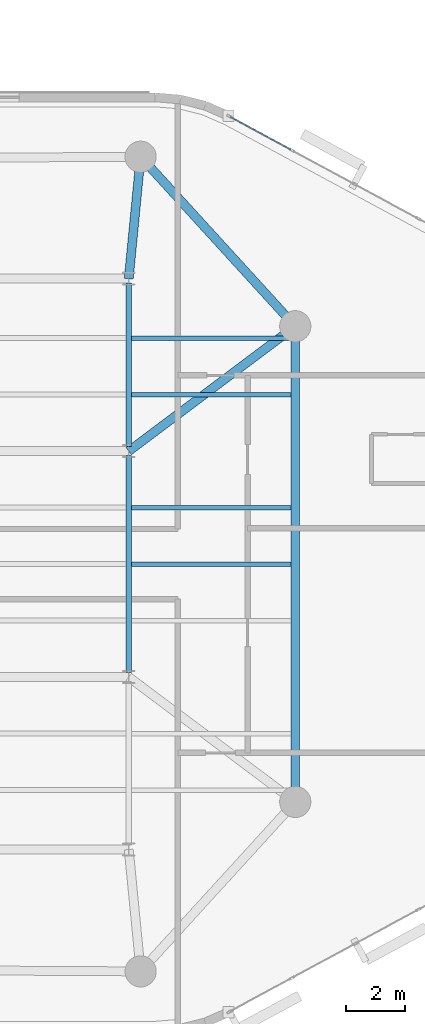
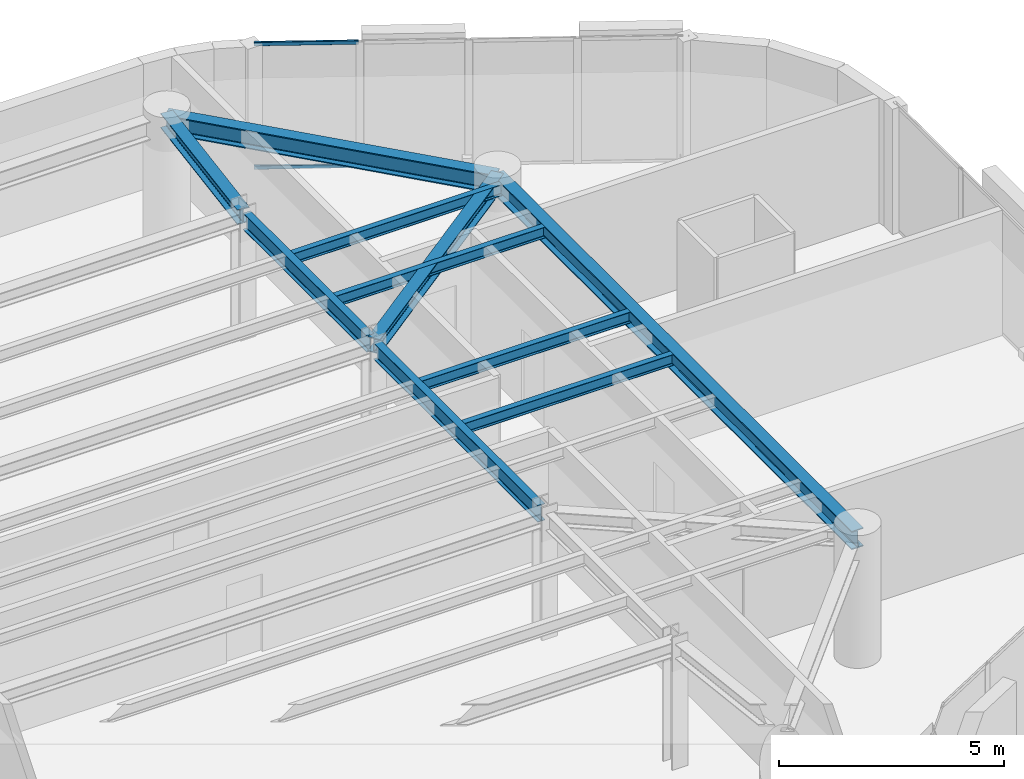
# One storey, part 5 of 13: 10 beams, 2 members, 1 element without a shape of its own.
"""IFC4 building model written with IfcOpenShell, lengths in metres."""

from ifc_helpers import new_model, si_unit, direction, frame, origin, origin_2d, place, context, subcontext, project, spatial, hollow_rectangle, i_section, extrude, material, layer, layer_set, material_profile, profile_set, type_object, element, aggregate, save


model = new_model("IFC4")

# Units and contexts
model_context = context("Model", 3, precision=1e-05, world=origin(), true_north=direction((0.0, 1.0)))
body_context = subcontext(model_context, "Body", "Model", "MODEL_VIEW")
ifc_project = project(units=[si_unit("LENGTHUNIT", "METRE"), si_unit("AREAUNIT", "SQUARE_METRE"), si_unit("VOLUMEUNIT", "CUBIC_METRE"), si_unit("PLANEANGLEUNIT", "RADIAN"), si_unit("MASSUNIT", "GRAM", prefix="KILO")], contexts=[model_context])

# Site, building, storey
site_placement = place(None, origin())
site = spatial("IfcSite", under=ifc_project, at=site_placement, CompositionType="ELEMENT")
building_placement = place(site_placement, origin())
building = spatial("IfcBuilding", under=site, at=building_placement, Name="An Khanh Terracotta Commons", CompositionType="ELEMENT")
storey_placement = place(building_placement, frame((0.0, 0.0, 226.5)))
storey = spatial("IfcBuildingStorey", under=building, at=storey_placement, Name="L59", CompositionType="ELEMENT", Elevation=226.5)

# Beams
ifc_material_1 = material(Name="Steel S355J2", Category="steel")
ifc_material_profile_1 = material_profile(ifc_material_1, i_section(OverallWidth=0.300048828125, OverallDepth=0.39990234375, WebThickness=0.013427734375, FlangeThickness=0.02392578125, FilletRadius=0.027099609375, at=origin_2d()), Name="HEB400")
ifc_profile_set_1 = profile_set([ifc_material_profile_1], Name="Steel S355J2")
beam_type_1 = type_object("IfcBeamType", Name="BM-HEB400", PredefinedType="BEAM", material=ifc_profile_set_1)
beam_1_placement = place(storey_placement, frame((59.60009765625, 32.0, 3.199951171875), z_axis=(-0.800008370399, -0.599988839305, 0.0), x_axis=(0.599988839305, -0.800008370399, 0.0)))
element("IfcBeam", 1, at=beam_1_placement, inside=storey, type_object=beam_type_1, Name="L59 Mega-Column Tie Girder 4", PredefinedType="BEAM", context=body_context, shape_type="SweptSolid", body=[
    extrude(i_section(OverallWidth=0.300048828125, OverallDepth=0.39990234375, WebThickness=0.013427734375, FlangeThickness=0.02392578125, FilletRadius=0.027099609375, at=origin_2d()), origin(), (0.0, 0.0, 1.0), 7.0),
])
beam_2_placement = place(storey_placement, frame((54.39990234375, 37.699951171875, 3.199951171875), z_axis=(-0.097079917443, -0.995276589511, 0.0), x_axis=(0.995276589511, -0.097079917443, 0.0)))
element("IfcBeam", 2, at=beam_2_placement, inside=storey, type_object=beam_type_1, Name="L59 Mega-Column Tie Girder 5", PredefinedType="BEAM", context=body_context, shape_type="SweptSolid", body=[
    extrude(i_section(OverallWidth=0.300048828125, OverallDepth=0.39990234375, WebThickness=0.013427734375, FlangeThickness=0.02392578125, FilletRadius=0.027099609375, at=origin_2d()), origin(), (0.0, 0.0, 1.0), 4.119384765625),
])
ifc_material_profile_2 = material_profile(ifc_material_1, i_section(OverallWidth=0.300048828125, OverallDepth=0.5, WebThickness=0.014404296875, FlangeThickness=0.028076171875, FilletRadius=0.027099609375, at=origin_2d()), Name="HEB500")
ifc_profile_set_2 = profile_set([ifc_material_profile_2], Name="Steel S355J2")
beam_type_2 = type_object("IfcBeamType", Name="BM-HEB500", PredefinedType="BEAM", material=ifc_profile_set_2)
beam_3_placement = place(storey_placement, frame((59.60009765625, 16.0, 3.14990234375), z_axis=(0.0, 1.0, 0.0), x_axis=(-1.0, 0.0, 0.0)))
element("IfcBeam", 3, at=beam_3_placement, inside=storey, type_object=beam_type_2, Name="L59 Perimeter Ring Spandrel 3", PredefinedType="BEAM", context=body_context, shape_type="SweptSolid", body=[
    extrude(i_section(OverallWidth=0.300048828125, OverallDepth=0.5, WebThickness=0.014404296875, FlangeThickness=0.028076171875, FilletRadius=0.027099609375, at=origin_2d()), origin(), (0.0, 0.0, 1.0), 16.0),
])
beam_4_placement = place(storey_placement, frame((59.60009765625, 32.0, 3.14990234375), z_axis=(-0.673978953902, 0.738750546326, 0.0), x_axis=(-0.738750546326, -0.673978953902, 0.0)))
element("IfcBeam", 4, at=beam_4_placement, inside=storey, type_object=beam_type_2, Name="L59 Perimeter Ring Spandrel 4", PredefinedType="BEAM", context=body_context, shape_type="SweptSolid", body=[
    extrude(i_section(OverallWidth=0.300048828125, OverallDepth=0.5, WebThickness=0.014404296875, FlangeThickness=0.028076171875, FilletRadius=0.027099609375, at=origin_2d()), origin(), (0.0, 0.0, 1.0), 7.715576171875),
])
ifc_material_profile_3 = material_profile(ifc_material_1, i_section(OverallWidth=0.14990234375, OverallDepth=0.300048828125, WebThickness=0.007080078125, FlangeThickness=0.0107421875, FilletRadius=0.014892578125, at=origin_2d()), Name="IPE300")
ifc_profile_set_3 = profile_set([ifc_material_profile_3], Name="Steel S355J2")
beam_type_3 = type_object("IfcBeamType", Name="BM-IPE300", PredefinedType="JOIST", material=ifc_profile_set_3)
for number, where, z_axis, x_axis, name in (
    (5, (54.094970703125, 24.0, 3.25), (1.0, 0.0, 0.0), (0.0, 1.0, 0.0), "L59 Riverfront Composite Joist 4"),
    (6, (54.094970703125, 25.89990234375, 3.25), (1.0, 0.0, 0.0), (0.0, 1.0, 0.0), "L59 Riverfront Composite Joist 5"),
    (7, (54.094970703125, 29.699951171875, 3.25), (1.0, 0.0, 0.0), (0.0, 1.0, 0.0), "L59 Riverfront Composite Joist 6"),
    (8, (54.094970703125, 31.60009765625, 3.25), (1.0, 0.0, 0.0), (0.0, 1.0, 0.0), "L59 Riverfront Composite Joist 7"),
):
    element("IfcBeam", number, at=place(storey_placement, frame(where, z_axis=z_axis, x_axis=x_axis)), inside=storey, type_object=beam_type_3, Name=name, PredefinedType="JOIST", context=body_context, shape_type="SweptSolid", body=[
        extrude(i_section(OverallWidth=0.14990234375, OverallDepth=0.300048828125, WebThickness=0.007080078125, FlangeThickness=0.0107421875, FilletRadius=0.014892578125, at=origin_2d()), origin(), (0.0, 0.0, 1.0), 5.35498046875),
    ])
ifc_material_profile_4 = material_profile(ifc_material_1, i_section(OverallWidth=0.18994140625, OverallDepth=0.449951171875, WebThickness=0.009521484375, FlangeThickness=0.0146484375, FilletRadius=0.02099609375, at=origin_2d()), Name="IPE450")
ifc_profile_set_4 = profile_set([ifc_material_profile_4], Name="Steel S355J2")
beam_type_4 = type_object("IfcBeamType", Name="BM-IPE450", PredefinedType="JOIST", material=ifc_profile_set_4)
beam_5_placement = place(storey_placement, frame((54.0, 20.35009765625, 3.175048828125), z_axis=(0.0, 1.0, 0.0), x_axis=(-1.0, 0.0, 0.0)))
element("IfcBeam", 9, at=beam_5_placement, inside=storey, type_object=beam_type_4, Name="L59 East Spine Girder 2", PredefinedType="JOIST", context=body_context, shape_type="SweptSolid", body=[
    extrude(i_section(OverallWidth=0.18994140625, OverallDepth=0.449951171875, WebThickness=0.009521484375, FlangeThickness=0.0146484375, FilletRadius=0.02099609375, at=origin_2d()), origin(), (0.0, 0.0, 1.0), 7.2998046875),
])
beam_6_placement = place(storey_placement, frame((54.0, 27.949951171875, 3.175048828125), z_axis=(0.0, 1.0, 0.0), x_axis=(-1.0, 0.0, 0.0)))
element("IfcBeam", 10, at=beam_6_placement, inside=storey, type_object=beam_type_4, Name="L59 East Spine Girder 3", PredefinedType="JOIST", context=body_context, shape_type="SweptSolid", body=[
    extrude(i_section(OverallWidth=0.18994140625, OverallDepth=0.449951171875, WebThickness=0.009521484375, FlangeThickness=0.0146484375, FilletRadius=0.02099609375, at=origin_2d()), origin(), (0.0, 0.0, 1.0), 5.5),
])

# Curtain wall, members
ifc_material_2 = material(Name="Anodised Aluminium 6063-T6", Category="aluminium")
ifc_layer = layer(ifc_material_2, 0.2099609375, Name="Anodised Aluminium 6063-T6")
ifc_layer_set = layer_set([ifc_layer], Name="Anodised Aluminium 6063-T6")
curtain_wall_type = type_object("IfcCurtainWallType", Name="CW-SYS-03", PredefinedType="USERDEFINED", material=ifc_layer_set)
curtain_wall_placement = place(storey_placement, origin())
curtain_wall = element("IfcCurtainWall", 11, at=curtain_wall_placement, inside=storey, type_object=curtain_wall_type, Name="L59 CW-03 Unitised Curtain Wall CW-L59-16", ObjectType="UNITISED CURTAIN WALL", PredefinedType="USERDEFINED")
ifc_material_profile_5 = material_profile(ifc_material_2, hollow_rectangle(XDim=0.050048828125, YDim=0.10009765625, WallThickness=0.003173828125, InnerFilletRadius=0.003173828125, OuterFilletRadius=0.00634765625, at=origin_2d()), Name="RHS100x50x3.2")
ifc_profile_set_5 = profile_set([ifc_material_profile_5], Name="Anodised Aluminium 6063-T6")
member_type = type_object("IfcMemberType", Name="CWT-RHS100x50x3.2", PredefinedType="USERDEFINED", material=ifc_profile_set_5)
member_1_placement = place(storey_placement, frame((59.455078125, 37.94140625, 0.02490234375), z_axis=(-0.879779245677, 0.475382455373, 0.0), x_axis=(-0.475382455373, -0.879779245677, 0.0)))
member_1 = element("IfcMember", 12, at=member_1_placement, type_object=member_type, Name="CW-03 transom 4.1", ObjectType="TRANSOM", PredefinedType="USERDEFINED", context=body_context, shape_type="SweptSolid", body=[
    extrude(hollow_rectangle(XDim=0.050048828125, YDim=0.10009765625, WallThickness=0.003173828125, InnerFilletRadius=0.003173828125, OuterFilletRadius=0.00634765625, at=origin_2d()), origin(), (0.0, 0.0, 1.0), 2.314697265625),
])
member_2_placement = place(storey_placement, frame((59.455078125, 37.94140625, 3.375), z_axis=(-0.879779245677, 0.475382455373, 0.0), x_axis=(-0.475382455373, -0.879779245677, 0.0)))
member_2 = element("IfcMember", 13, at=member_2_placement, type_object=member_type, Name="CW-03 transom 4.2", ObjectType="TRANSOM", PredefinedType="USERDEFINED", context=body_context, shape_type="SweptSolid", body=[
    extrude(hollow_rectangle(XDim=0.050048828125, YDim=0.10009765625, WallThickness=0.003173828125, InnerFilletRadius=0.003173828125, OuterFilletRadius=0.00634765625, at=origin_2d()), origin(), (0.0, 0.0, 1.0), 2.314697265625),
])
aggregate(curtain_wall, [member_1, member_2])

save(model, "model.ifc")
